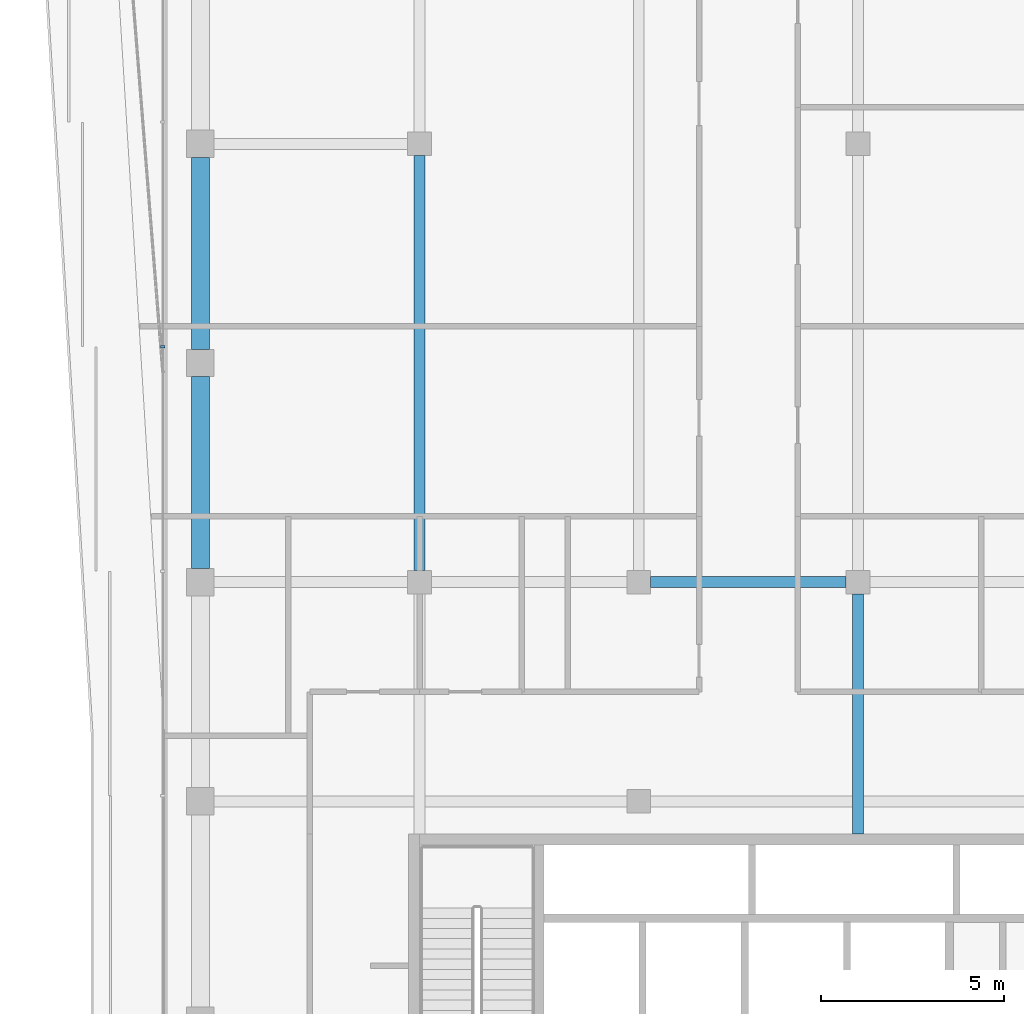
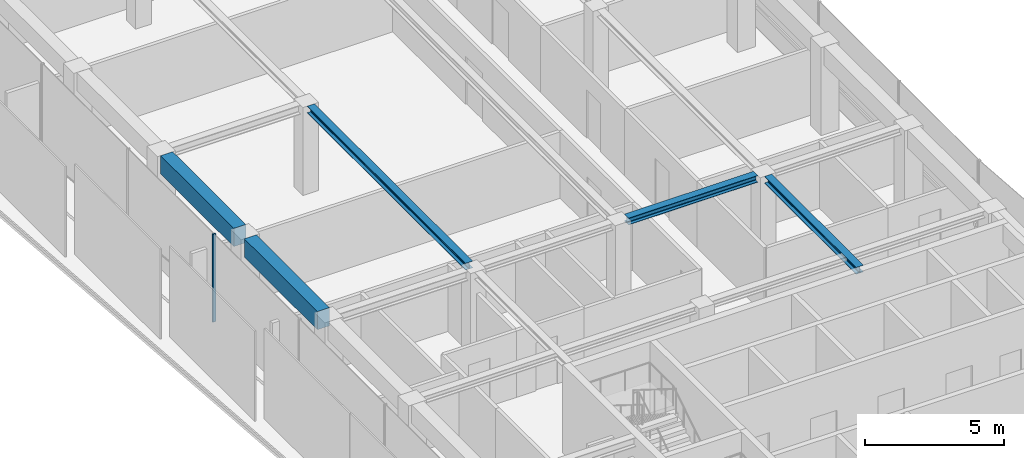
# One storey, part 9 of 21: 5 beams, 1 member, 1 element without a shape of its own.
"""IFC4 building model written with IfcOpenShell, lengths in metres."""

import ifcopenshell
import ifcopenshell.guid

model = None  # the IFC model being written
_history = None  # IfcOwnerHistory: only IFC2X3 demands one
_inside = {}  # id of a spatial element -> (the spatial element, [elements in it])
_under = {}  # id of a project, library or spatial element -> (it, [spatial elements below it])
_declared = {}  # id of a project -> (the project, [libraries it declares])
_typed = {}  # id of a type object -> (the type object, [elements of that type])
_made_of = {}  # id of a material, layer set ... -> (it, [elements and type objects made of it])


def new_model(schema):
    """Start an empty IFC model of exactly this schema.

    Asked for "IFC4X3", IfcOpenShell would pick the latest addendum, in which some entities
    have other attributes; the version numbers below select the first issue.
    IFC2X3 requires an IfcOwnerHistory on every rooted entity: one is made here for all.
    """
    global model, _history
    if schema == "IFC4X3":
        model = ifcopenshell.file(schema_version=(4, 3, 0, 0))
    else:
        model = ifcopenshell.file(schema=schema)
    _inside.clear()
    _under.clear()
    _declared.clear()
    _typed.clear()
    _made_of.clear()
    _history = None
    if model.schema == "IFC2X3":
        org = make("IfcOrganization", Name="unknown")
        user = make(
            "IfcPersonAndOrganization",
            ThePerson=make("IfcPerson", FamilyName="unknown"),
            TheOrganization=org,
        )
        app = make(
            "IfcApplication",
            ApplicationDeveloper=org,
            Version="unknown",
            ApplicationFullName="unknown",
            ApplicationIdentifier="unknown",
        )
        _history = make(
            "IfcOwnerHistory",
            OwningUser=user,
            OwningApplication=app,
            ChangeAction="ADDED",
            CreationDate=0,
        )
    return model


def make(cls, **values):
    """One entity of the class cls with the attributes given. An attribute that is None is left unset."""
    return model.create_entity(
        cls, **{name: value for name, value in values.items() if value is not None}
    )


def rooted(cls, **values):
    """An entity with a GlobalId (a new one), such as an element, a storey or a relation."""
    return make(cls, GlobalId=ifcopenshell.guid.new(), OwnerHistory=_history, **values)


def si_unit(unit_type, name, prefix=None):
    """IfcSIUnit, for example si_unit("LENGTHUNIT", "METRE", prefix="MILLI")."""
    return make("IfcSIUnit", UnitType=unit_type, Prefix=prefix, Name=name)


def assignment(units):
    """IfcUnitAssignment: the units of a project."""
    return None if units is None else make("IfcUnitAssignment", Units=units)


def point(xyz):
    """IfcCartesianPoint."""
    return None if xyz is None else make("IfcCartesianPoint", Coordinates=xyz)


def direction(xyz):
    """IfcDirection."""
    return None if xyz is None else make("IfcDirection", DirectionRatios=xyz)


def frame(location, z_axis=None, x_axis=None):
    """IfcAxis2Placement3D, a coordinate frame: its origin and axes. An axis left out is left unset."""
    return make(
        "IfcAxis2Placement3D",
        Location=point(location),
        Axis=direction(z_axis),
        RefDirection=direction(x_axis),
    )


def frame_2d(location, x_axis=None):
    """IfcAxis2Placement2D, a coordinate frame in the plane: its origin and x axis."""
    return make(
        "IfcAxis2Placement2D", Location=point(location), RefDirection=direction(x_axis)
    )


def origin():
    """The frame at (0, 0, 0) with its axes left unset."""
    return frame((0.0, 0.0, 0.0))


def origin_2d():
    """The frame at (0, 0) in the plane with its x axis left unset."""
    return frame_2d((0.0, 0.0))


def place(relative_to, where):
    """IfcLocalPlacement: puts the frame where relative to a parent placement (None: the world)."""
    return make(
        "IfcLocalPlacement", PlacementRelTo=relative_to, RelativePlacement=where
    )


def context(
    kind, dimensions, precision=None, world=None, true_north=None, identifier=None
):
    """IfcGeometricRepresentationContext, for example the 3D "Model" context."""
    return make(
        "IfcGeometricRepresentationContext",
        ContextIdentifier=identifier,
        ContextType=kind,
        CoordinateSpaceDimension=dimensions,
        Precision=precision,
        WorldCoordinateSystem=world,
        TrueNorth=true_north,
    )


def subcontext(parent, identifier, kind, view, scale=None):
    """IfcGeometricRepresentationSubContext, for example "Body" below "Model"."""
    return make(
        "IfcGeometricRepresentationSubContext",
        ContextIdentifier=identifier,
        ContextType=kind,
        ParentContext=parent,
        TargetScale=scale,
        TargetView=view,
    )


def project(units=None, contexts=None):
    """IfcProject with its units and contexts."""
    return rooted(
        "IfcProject",
        Name="project",
        RepresentationContexts=contexts,
        UnitsInContext=assignment(units),
    )


def spatial(cls, under=None, at=None, **own):
    """A site, building, storey or space (cls), placed at a placement, below another one or the project."""
    s = rooted(cls, ObjectPlacement=at, **own)
    if under is not None:
        _under.setdefault(under.id(), (under, []))[1].append(s)
    return s


def profile(cls, at=None, kind="AREA", **sizes):
    """A parametric profile (cls). Its sizes go by their IFC names, for example OverallWidth=200.0."""
    return make(cls, ProfileType=kind, Position=at, **sizes)


def rectangle(**sizes):
    """IfcRectangleProfileDef."""
    return profile("IfcRectangleProfileDef", **sizes)


def i_section(**sizes):
    """IfcIShapeProfileDef."""
    return profile("IfcIShapeProfileDef", **sizes)


def extrude(swept, where, along, depth):
    """IfcExtrudedAreaSolid: the profile swept, set in the frame where, extruded along a direction by depth."""
    return make(
        "IfcExtrudedAreaSolid",
        SweptArea=swept,
        Position=where,
        ExtrudedDirection=direction(along),
        Depth=depth,
    )


def shape(context_of_items, identifier, shape_type, items):
    """IfcShapeRepresentation: the items that make up one representation, for example the "Body"."""
    return make(
        "IfcShapeRepresentation",
        ContextOfItems=context_of_items,
        RepresentationIdentifier=identifier,
        RepresentationType=shape_type,
        Items=items,
    )


def material(Name=None, Category=None):
    """IfcMaterial."""
    return make("IfcMaterial", Name=Name, Category=Category)


def layer(
    of_material, thickness, ventilated=None, Name=None, Category=None, Priority=None
):
    """IfcMaterialLayer: one layer of a wall or slab, of a material (None: an air gap)."""
    return make(
        "IfcMaterialLayer",
        Material=of_material,
        LayerThickness=thickness,
        IsVentilated=ventilated,
        Name=Name,
        Category=Category,
        Priority=Priority,
    )


def layer_set(layers, Name=None):
    """IfcMaterialLayerSet."""
    return make("IfcMaterialLayerSet", MaterialLayers=layers, LayerSetName=Name)


def material_profile(
    of_material, cross_section, Name=None, Category=None, Priority=None
):
    """IfcMaterialProfile: a cross section and its material."""
    return make(
        "IfcMaterialProfile",
        Name=Name,
        Material=of_material,
        Profile=cross_section,
        Priority=Priority,
        Category=Category,
    )


def profile_set(profiles, Name=None, composite=None):
    """IfcMaterialProfileSet."""
    return make(
        "IfcMaterialProfileSet",
        Name=Name,
        MaterialProfiles=profiles,
        CompositeProfile=composite,
    )


def made_of(thing, what):
    """Note that an element or type object is made of a material, layer set ...; save() writes the relation."""
    if what is not None:
        _made_of.setdefault(what.id(), (what, []))[1].append(thing)
    return thing


def type_object(cls, material=None, **own):
    """A type object (cls), such as IfcWallType, which elements share."""
    return made_of(rooted(cls, **own), material)


def element(
    cls,
    number,
    at=None,
    inside=None,
    cuts=None,
    type_object=None,
    material=None,
    context=None,
    identifier="Body",
    shape_type=None,
    held_by="IfcProductDefinitionShape",
    body=None,
    shapes=None,
    **own,
):
    """One element of the class cls, such as IfcWall. Its Tag is "e" and its number.

    at: its placement. inside: the storey or other place that contains it. cuts: it is an
    opening in that element (IfcRelVoidsElement). A single representation is given by context,
    identifier, shape_type and body (its items); several are given by shapes. held_by: the class
    of the entity that holds the representations. save() writes the other relations.
    """
    e = rooted(cls, Tag="e%d" % number, ObjectPlacement=at, **own)
    if body is not None:
        shapes = [shape(context, identifier, shape_type, body)]
    if shapes is not None:
        e.Representation = make(held_by, Representations=shapes)
    if inside is not None:
        _inside.setdefault(inside.id(), (inside, []))[1].append(e)
    if cuts is not None:
        rooted(
            "IfcRelVoidsElement", RelatingBuildingElement=cuts, RelatedOpeningElement=e
        )
    if type_object is not None:
        _typed.setdefault(type_object.id(), (type_object, []))[1].append(e)
    return made_of(e, material)


def aggregate(whole, parts):
    """IfcRelAggregates: a whole, such as a stair, and the parts it consists of."""
    return rooted("IfcRelAggregates", RelatingObject=whole, RelatedObjects=parts)


def save(model, path):
    """Write the relations noted so far, then the file.

    IfcRelAggregates (storeys below a building ...), IfcRelContainedInSpatialStructure (elements
    in a storey), IfcRelDefinesByType, IfcRelAssociatesMaterial and IfcRelDeclares: one each for
    every whole, place, type object, material and project.
    """
    for whole, parts in _under.values():
        aggregate(whole, parts)
    for where, things in _inside.values():
        rooted(
            "IfcRelContainedInSpatialStructure",
            RelatedElements=things,
            RelatingStructure=where,
        )
    for kind, things in _typed.values():
        rooted("IfcRelDefinesByType", RelatedObjects=things, RelatingType=kind)
    for what, things in _made_of.values():
        rooted("IfcRelAssociatesMaterial", RelatedObjects=things, RelatingMaterial=what)
    for by, libraries in _declared.values():
        rooted("IfcRelDeclares", RelatingContext=by, RelatedDefinitions=libraries)
    model.write(path)


model = new_model("IFC4")

# Units and contexts
model_context = context("Model", 3, precision=1e-05, world=origin(), true_north=direction((0.0, 1.0)))
body_context = subcontext(model_context, "Body", "Model", "MODEL_VIEW")
ifc_project = project(units=[si_unit("LENGTHUNIT", "METRE"), si_unit("AREAUNIT", "SQUARE_METRE"), si_unit("VOLUMEUNIT", "CUBIC_METRE"), si_unit("PLANEANGLEUNIT", "RADIAN"), si_unit("MASSUNIT", "GRAM", prefix="KILO")], contexts=[model_context])

# Site, building, storey
site_placement = place(None, origin())
site = spatial("IfcSite", under=ifc_project, at=site_placement, CompositionType="ELEMENT")
building_placement = place(site_placement, origin())
building = spatial("IfcBuilding", under=site, at=building_placement, Name="Welwitschia Terrace Campus", CompositionType="ELEMENT")
storey_placement = place(building_placement, frame((0.0, 0.0, 302.0)))
storey = spatial("IfcBuildingStorey", under=building, at=storey_placement, Name="L67", CompositionType="ELEMENT", Elevation=302.0)

# Beams
ifc_material_1 = material(Name="Steel S355", Category="steel")
ifc_material_profile_1 = material_profile(ifc_material_1, i_section(OverallWidth=0.300048828125, OverallDepth=0.300048828125, WebThickness=0.010986328125, FlangeThickness=0.01904296875, FilletRadius=0.027099609375, at=origin_2d()))
ifc_profile_set_1 = profile_set([ifc_material_profile_1], Name="Steel S355")
beam_type_1 = type_object("IfcBeamType", Name="Interior girder HE 300 B", PredefinedType="BEAM", material=ifc_profile_set_1)
beam_1_placement = place(storey_placement, frame((12.325439453125, 32.0, 3.699951171875), z_axis=(1.0, 0.0, 0.0), x_axis=(0.0, 1.0, 0.0)))
element("IfcBeam", 1, at=beam_1_placement, inside=storey, type_object=beam_type_1, Name="Girder GB6", PredefinedType="BEAM", context=body_context, shape_type="SweptSolid", body=[
    extrude(i_section(OverallWidth=0.300048828125, OverallDepth=0.300048828125, WebThickness=0.010986328125, FlangeThickness=0.01904296875, FilletRadius=0.027099609375, at=origin_2d()), origin(), (0.0, 0.0, 1.0), 5.34912109375),
])
beam_2_placement = place(storey_placement, frame((6.0, 32.325439453125, 3.699951171875), z_axis=(0.0, 1.0, 0.0), x_axis=(-1.0, 0.0, 0.0)))
element("IfcBeam", 2, at=beam_2_placement, inside=storey, type_object=beam_type_1, Name="Girder GB6", PredefinedType="BEAM", context=body_context, shape_type="SweptSolid", body=[
    extrude(i_section(OverallWidth=0.300048828125, OverallDepth=0.300048828125, WebThickness=0.010986328125, FlangeThickness=0.01904296875, FilletRadius=0.027099609375, at=origin_2d()), origin(), (0.0, 0.0, 1.0), 11.34912109375),
])
beam_3_placement = place(storey_placement, frame((18.0, 25.10107421875, 3.699951171875), z_axis=(0.0, 1.0, 0.0), x_axis=(-1.0, 0.0, 0.0)))
element("IfcBeam", 3, at=beam_3_placement, inside=storey, type_object=beam_type_1, Name="Girder GB6", PredefinedType="BEAM", context=body_context, shape_type="SweptSolid", body=[
    extrude(i_section(OverallWidth=0.300048828125, OverallDepth=0.300048828125, WebThickness=0.010986328125, FlangeThickness=0.01904296875, FilletRadius=0.027099609375, at=origin_2d()), origin(), (0.0, 0.0, 1.0), 6.573486328125),
])

# Curtain wall, member
ifc_material_2 = material(Name="Bronze anodised aluminium", Category="aluminium")
ifc_layer = layer(ifc_material_2, 0.1201171875)
ifc_layer_set = layer_set([ifc_layer], Name="Bronze anodised aluminium")
curtain_wall_type = type_object("IfcCurtainWallType", Name="Curtain wall CW2 tower 6000", PredefinedType="NOTDEFINED", material=ifc_layer_set)
curtain_wall_placement = place(storey_placement, origin())
curtain_wall = element("IfcCurtainWall", 4, at=curtain_wall_placement, inside=storey, type_object=curtain_wall_type, Name="CW L67.8.0", PredefinedType="NOTDEFINED")
ifc_material_3 = material(Name="Bronze anodised aluminium", Category="aluminium")
ifc_material_profile_2 = material_profile(ifc_material_3, rectangle(XDim=0.1201171875, YDim=0.06005859375, at=origin_2d()))
ifc_profile_set_2 = profile_set([ifc_material_profile_2], Name="Bronze anodised aluminium")
member_type = type_object("IfcMemberType", Name="Mullion 60x120", PredefinedType="MULLION", material=ifc_profile_set_2)
member_placement = place(storey_placement, frame((-1.030029296875, 38.447265625, 0.0), z_axis=(0.0, 0.0, 1.0), x_axis=(1.0, 0.0, 0.0)))
member = element("IfcMember", 5, at=member_placement, type_object=member_type, Name="Mullion L67.8.0.4", PredefinedType="MULLION", context=body_context, shape_type="SweptSolid", body=[
    extrude(rectangle(XDim=0.1201171875, YDim=0.06005859375, at=origin_2d()), origin(), (0.0, 0.0, 1.0), 3.85009765625),
])
aggregate(curtain_wall, [member])

# Beams
ifc_material_4 = material(Name="Concrete C50/60", Category="concrete")
ifc_material_profile_3 = material_profile(ifc_material_4, rectangle(XDim=0.5, YDim=0.800048828125, at=origin_2d()))
ifc_profile_set_3 = profile_set([ifc_material_profile_3], Name="Concrete C50/60")
beam_type_2 = type_object("IfcBeamType", Name="Ring spandrel 500x800", PredefinedType="SPANDREL", material=ifc_profile_set_3)
for number, where, z_axis, x_axis, name in (
    (6, (0.0, 43.62451171875, 3.449951171875), (0.0, -1.0, 0.0), (1.0, 0.0, 0.0), "Spandrel SP4"),
    (7, (0.0, 37.62451171875, 3.449951171875), (0.0, -1.0, 0.0), (1.0, 0.0, 0.0), "Spandrel SP4"),
):
    element("IfcBeam", number, at=place(storey_placement, frame(where, z_axis=z_axis, x_axis=x_axis)), inside=storey, type_object=beam_type_2, Name=name, PredefinedType="SPANDREL", context=body_context, shape_type="SweptSolid", body=[
        extrude(rectangle(XDim=0.5, YDim=0.800048828125, at=origin_2d()), origin(), (0.0, 0.0, 1.0), 5.2490234375),
    ])

save(model, "model.ifc")
